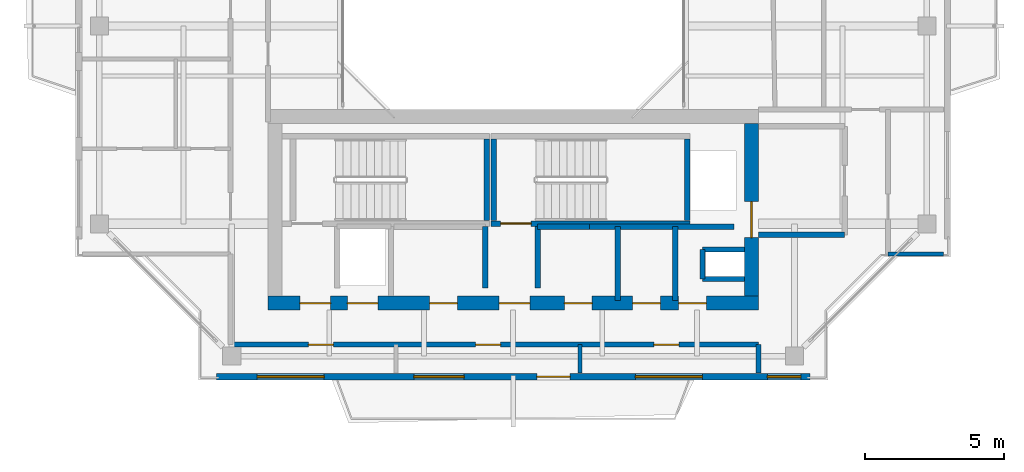
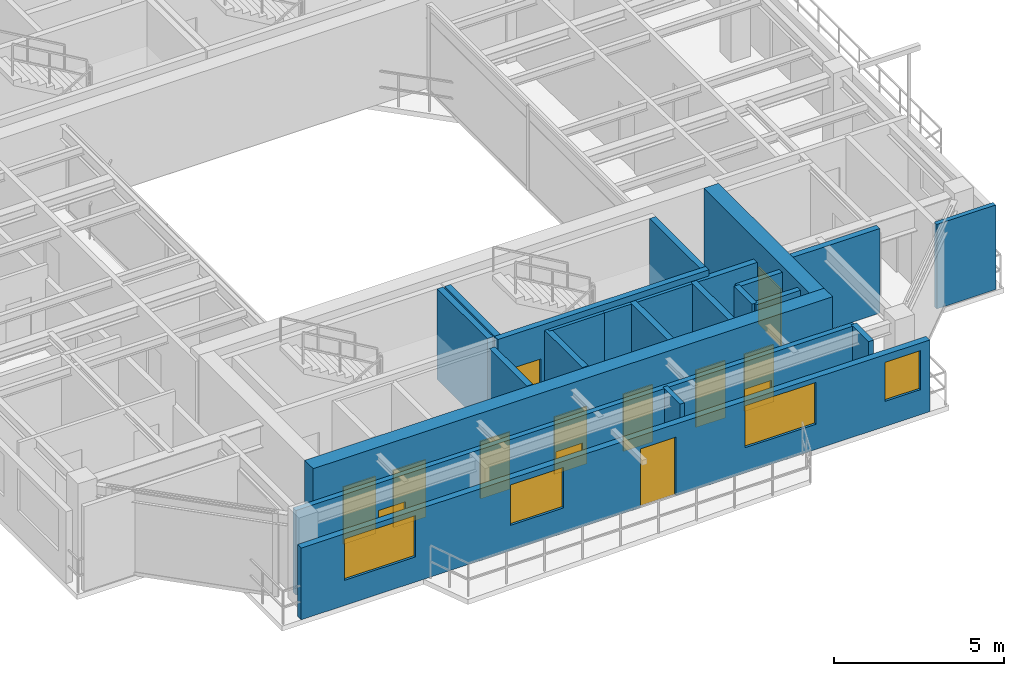
# One storey, part 9 of 14: 21 walls, 13 doors, 4 windows, 17 openings.
"""IFC4 building model written with IfcOpenShell, lengths in metres."""

from ifc_helpers import new_model, si_unit, direction, frame, frame_2d, origin, place, context, subcontext, project, spatial, rectangle, extrude, source, transform, mapped, material, layer, layer_set, type_object, element, fill, save


model = new_model("IFC4")

# Units and contexts
model_context = context("Model", 3, precision=1e-05, world=origin(), true_north=direction((0.0, 1.0)))
body_context = subcontext(model_context, "Body", "Model", "MODEL_VIEW")
ifc_project = project(units=[si_unit("LENGTHUNIT", "METRE"), si_unit("AREAUNIT", "SQUARE_METRE"), si_unit("VOLUMEUNIT", "CUBIC_METRE"), si_unit("PLANEANGLEUNIT", "RADIAN"), si_unit("MASSUNIT", "GRAM", prefix="KILO"), si_unit("THERMODYNAMICTEMPERATUREUNIT", "KELVIN"), si_unit("POWERUNIT", "WATT")], contexts=[model_context])

# Site, building, storey
site_placement = place(None, origin())
site = spatial("IfcSite", under=ifc_project, at=site_placement, CompositionType="ELEMENT")
building_placement = place(site_placement, origin())
building = spatial("IfcBuilding", under=site, at=building_placement, Name="Qiaomeng Ring Towers", CompositionType="ELEMENT")
storey_placement = place(building_placement, frame((0.0, 0.0, 260.0)))
storey = spatial("IfcBuildingStorey", under=building, at=storey_placement, Name="L76", CompositionType="ELEMENT", Elevation=260.0)

# Wall, openings, windows, door
ifc_material_1 = material(Name="Precast concrete C40", Category="concrete")
ifc_layer_1 = layer(ifc_material_1, 0.219970703125, Name="Precast concrete C40")
ifc_layer_set_1 = layer_set([ifc_layer_1], Name="Precast concrete C40")
wall_type_1 = type_object("IfcWallType", Name="ARC-WL-EW2", PredefinedType="STANDARD", material=ifc_layer_set_1)
wall_1_placement = place(storey_placement, frame((8.35009765625, 7.409912109375, 0.0), z_axis=(0.0, 0.0, 1.0), x_axis=(1.0, 0.0, 0.0)))
wall_1 = element("IfcWall", 1, at=wall_1_placement, inside=storey, type_object=wall_type_1, Name="L76 Tower 1 S Exterior Wall", PredefinedType="STANDARD", context=body_context, shape_type="SweptSolid", body=[
    extrude(rectangle(XDim=21.2998046875, YDim=0.219970703125, at=frame_2d((10.64990234375, 0.0))), origin(), (0.0, 0.0, 1.0), 2.570068359375),
])
opening_1_placement = place(wall_1_placement, frame((11.5, 0.0, 0.0)))
opening_1 = element("IfcOpeningElement", 2, at=opening_1_placement, cuts=wall_1, Name="Opening BD1", PredefinedType="OPENING", context=body_context, shape_type="SweptSolid", body=[
    extrude(rectangle(XDim=1.199951171875, YDim=2.10009765625, at=frame_2d((0.60009765625, 1.050048828125))), frame((0.0, 0.119873046875, 0.0), z_axis=(0.0, -1.0, 0.0), x_axis=(1.0, 0.0, 0.0)), (0.0, 0.0, 1.0), 0.239990234375),
])
opening_2_placement = place(wall_1_placement, frame((1.462890625, 0.0, 0.89990234375)))
opening_2 = element("IfcOpeningElement", 3, at=opening_2_placement, cuts=wall_1, Name="Opening WN6", PredefinedType="OPENING", context=body_context, shape_type="SweptSolid", body=[
    extrude(rectangle(XDim=2.39990234375, YDim=1.47998046875, at=frame_2d((1.199951171875, 0.739990234375))), frame((0.0, 0.119873046875, 0.0), z_axis=(0.0, -1.0, 0.0), x_axis=(1.0, 0.0, 0.0)), (0.0, 0.0, 1.0), 0.239990234375),
])
opening_3_placement = place(wall_1_placement, frame((7.087890625, 0.0, 0.89990234375)))
opening_3 = element("IfcOpeningElement", 4, at=opening_3_placement, cuts=wall_1, Name="Opening WN1", PredefinedType="OPENING", context=body_context, shape_type="SweptSolid", body=[
    extrude(rectangle(XDim=1.800048828125, YDim=1.449951171875, at=frame_2d((0.89990234375, 0.72509765625))), frame((0.0, 0.119873046875, 0.0), z_axis=(0.0, -1.0, 0.0), x_axis=(1.0, 0.0, 0.0)), (0.0, 0.0, 1.0), 0.239990234375),
])
opening_4_placement = place(wall_1_placement, frame((19.77490234375, 0.0, 0.89990234375)))
opening_4 = element("IfcOpeningElement", 5, at=opening_4_placement, cuts=wall_1, Name="Opening WN3", PredefinedType="OPENING", context=body_context, shape_type="SweptSolid", body=[
    extrude(rectangle(XDim=1.199951171875, YDim=1.39990234375, at=frame_2d((0.60009765625, 0.699951171875))), frame((0.0, 0.119873046875, 0.0), z_axis=(0.0, -1.0, 0.0), x_axis=(1.0, 0.0, 0.0)), (0.0, 0.0, 1.0), 0.239990234375),
])
opening_5_placement = place(wall_1_placement, frame((15.04248046875, 0.0, 0.89990234375)))
opening_5 = element("IfcOpeningElement", 6, at=opening_5_placement, cuts=wall_1, Name="Opening WN6", PredefinedType="OPENING", context=body_context, shape_type="SweptSolid", body=[
    extrude(rectangle(XDim=2.39990234375, YDim=1.5, at=frame_2d((1.199951171875, 0.75))), frame((0.0, 0.119873046875, 0.0), z_axis=(0.0, -1.0, 0.0), x_axis=(1.0, 0.0, 0.0)), (0.0, 0.0, 1.0), 0.239990234375),
])
ifc_material_2 = material(Name="Low-E dark-grey laminated double glazing", Category="glass")
window_type_1 = type_object("IfcWindowType", Name="ARC-WN-1", PartitioningType="DOUBLE_PANEL_VERTICAL", PredefinedType="WINDOW", material=ifc_material_2)
shared_shape_1 = source(origin(), body_context, "Body", "SweptSolid", [
    extrude(rectangle(XDim=1.800048828125, YDim=1.449951171875, at=frame_2d((0.89990234375, 0.72509765625))), frame((0.0, 0.030029296875, 0.0), z_axis=(0.0, -1.0, 0.0), x_axis=(1.0, 0.0, 0.0)), (0.0, 0.0, 1.0), 0.06005859375),
])
window_1_placement = place(opening_3_placement, origin())
window_1 = element("IfcWindow", 7, at=window_1_placement, inside=storey, type_object=window_type_1, Name="L76 Exterior Window WN1", OverallHeight=1.449951171875, OverallWidth=1.800048828125, PartitioningType="DOUBLE_PANEL_VERTICAL", PredefinedType="WINDOW", context=body_context, shape_type="MappedRepresentation", body=[
    mapped(shared_shape_1, transform((0.0, 0.0, 0.0), x_axis=(1.0, 0.0, 0.0), y_axis=(0.0, 1.0, 0.0), z_axis=(0.0, 0.0, 1.0), scale=1.0)),
])
fill(opening_3, window_1)
window_type_2 = type_object("IfcWindowType", Name="ARC-WN-6", PartitioningType="TRIPLE_PANEL_VERTICAL", PredefinedType="WINDOW", material=ifc_material_2)
shared_shape_2 = source(origin(), body_context, "Body", "SweptSolid", [
    extrude(rectangle(XDim=2.39990234375, YDim=1.47998046875, at=frame_2d((1.199951171875, 0.739990234375))), frame((0.0, 0.030029296875, 0.0), z_axis=(0.0, -1.0, 0.0), x_axis=(1.0, 0.0, 0.0)), (0.0, 0.0, 1.0), 0.06005859375),
])
window_2_placement = place(opening_2_placement, origin())
window_2 = element("IfcWindow", 8, at=window_2_placement, inside=storey, type_object=window_type_2, Name="L76 Exterior Window WN6", OverallHeight=1.47998046875, OverallWidth=2.39990234375, PartitioningType="TRIPLE_PANEL_VERTICAL", PredefinedType="WINDOW", context=body_context, shape_type="MappedRepresentation", body=[
    mapped(shared_shape_2, transform((0.0, 0.0, 0.0), x_axis=(1.0, 0.0, 0.0), y_axis=(0.0, 1.0, 0.0), z_axis=(0.0, 0.0, 1.0), scale=1.0)),
])
fill(opening_2, window_2)
door_type_1 = type_object("IfcDoorType", Name="ARC-DR-BD1", OperationType="NOTDEFINED", PredefinedType="DOOR", material=ifc_material_2)
shared_shape_3 = source(origin(), body_context, "Body", "SweptSolid", [
    extrude(rectangle(XDim=1.199951171875, YDim=2.10009765625, at=frame_2d((0.60009765625, 1.050048828125))), frame((0.0, 0.02490234375, 0.0), z_axis=(0.0, -1.0, 0.0), x_axis=(1.0, 0.0, 0.0)), (0.0, 0.0, 1.0), 0.050048828125),
])
door_1_placement = place(opening_1_placement, frame((1.199951171875, 0.0, 0.0), z_axis=(0.0, 0.0, 1.0), x_axis=(-1.0, 0.0, 0.0)))
door_1 = element("IfcDoor", 9, at=door_1_placement, inside=storey, type_object=door_type_1, Name="L76 S Balcony Glazed Door", OperationType="SINGLE_SWING_LEFT", OverallHeight=2.10009765625, OverallWidth=1.199951171875, PredefinedType="DOOR", context=body_context, shape_type="MappedRepresentation", body=[
    mapped(shared_shape_3, transform((0.0, 0.0, 0.0), x_axis=(1.0, 0.0, 0.0), y_axis=(0.0, 1.0, 0.0), z_axis=(0.0, 0.0, 1.0), scale=1.0)),
])
fill(opening_1, door_1)
shared_shape_4 = source(origin(), body_context, "Body", "SweptSolid", [
    extrude(rectangle(XDim=2.39990234375, YDim=1.5, at=frame_2d((1.199951171875, 0.75))), frame((0.0, 0.030029296875, 0.0), z_axis=(0.0, -1.0, 0.0), x_axis=(1.0, 0.0, 0.0)), (0.0, 0.0, 1.0), 0.06005859375),
])
window_3_placement = place(opening_5_placement, origin())
window_3 = element("IfcWindow", 10, at=window_3_placement, inside=storey, type_object=window_type_2, Name="L76 Exterior Window WN6", OverallHeight=1.5, OverallWidth=2.39990234375, PartitioningType="TRIPLE_PANEL_VERTICAL", PredefinedType="WINDOW", context=body_context, shape_type="MappedRepresentation", body=[
    mapped(shared_shape_4, transform((0.0, 0.0, 0.0), x_axis=(1.0, 0.0, 0.0), y_axis=(0.0, 1.0, 0.0), z_axis=(0.0, 0.0, 1.0), scale=1.0)),
])
fill(opening_5, window_3)
window_type_3 = type_object("IfcWindowType", Name="ARC-WN-3", PartitioningType="SINGLE_PANEL", PredefinedType="WINDOW", material=ifc_material_2)
shared_shape_5 = source(origin(), body_context, "Body", "SweptSolid", [
    extrude(rectangle(XDim=1.199951171875, YDim=1.39990234375, at=frame_2d((0.60009765625, 0.699951171875))), frame((0.0, 0.030029296875, 0.0), z_axis=(0.0, -1.0, 0.0), x_axis=(1.0, 0.0, 0.0)), (0.0, 0.0, 1.0), 0.06005859375),
])
window_4_placement = place(opening_4_placement, origin())
window_4 = element("IfcWindow", 11, at=window_4_placement, inside=storey, type_object=window_type_3, Name="L76 Exterior Window WN4", OverallHeight=1.39990234375, OverallWidth=1.199951171875, PartitioningType="TRIPLE_PANEL_VERTICAL", PredefinedType="WINDOW", context=body_context, shape_type="MappedRepresentation", body=[
    mapped(shared_shape_5, transform((0.0, 0.0, 0.0), x_axis=(1.0, 0.0, 0.0), y_axis=(0.0, 1.0, 0.0), z_axis=(0.0, 0.0, 1.0), scale=1.0)),
])
fill(opening_4, window_4)

# Walls
ifc_material_3 = material(Name="Autoclaved aerated concrete block", Category="concrete")
ifc_layer_2 = layer(ifc_material_3, 0.199951171875, Name="Autoclaved aerated concrete block")
ifc_layer_set_2 = layer_set([ifc_layer_2], Name="Autoclaved aerated concrete block")
wall_type_2 = type_object("IfcWallType", Name="ARC-WL-PW1", PredefinedType="PARTITIONING", material=ifc_layer_set_2)
wall_2_placement = place(storey_placement, frame((27.800048828125, 12.5, 0.0), z_axis=(0.0, 0.0, 1.0), x_axis=(1.0, 0.0, 0.0)))
element("IfcWall", 12, at=wall_2_placement, inside=storey, type_object=wall_type_2, Name="L76 Interior Wall PW1", PredefinedType="PARTITIONING", context=body_context, shape_type="SweptSolid", body=[
    extrude(rectangle(XDim=3.099853515625, YDim=0.199951171875, at=frame_2d((1.5498046875, 0.0))), origin(), (0.0, 0.0, 1.0), 3.030029296875),
])
for number, where, z_axis, x_axis, name in (
    (13, (18.0, 10.60009765625, 0.0), (0.0, 0.0, 1.0), (0.0, 1.0, 0.0), "L76 Interior Wall PW1"),
    (14, (19.8798828125, 10.60009765625, 0.0), (0.0, 0.0, 1.0), (0.0, 1.0, 0.0), "L76 Interior Wall PW1"),
):
    element("IfcWall", number, at=place(storey_placement, frame(where, z_axis=z_axis, x_axis=x_axis)), inside=storey, type_object=wall_type_2, Name=name, PredefinedType="PARTITIONING", context=body_context, shape_type="SweptSolid", body=[
        extrude(rectangle(XDim=2.2099609375, YDim=0.199951171875, at=frame_2d((1.10498046875, 0.0))), origin(), (0.0, 0.0, 1.0), 3.030029296875),
    ])
wall_3_placement = place(storey_placement, frame((24.820068359375, 10.14990234375, 0.0), z_axis=(0.0, 0.0, 1.0), x_axis=(0.0, 1.0, 0.0)))
element("IfcWall", 15, at=wall_3_placement, inside=storey, type_object=wall_type_2, Name="L76 Interior Wall PW1", PredefinedType="PARTITIONING", context=body_context, shape_type="SweptSolid", body=[
    extrude(rectangle(XDim=2.650146484375, YDim=0.199951171875, at=frame_2d((1.3251953125, 0.0))), origin(), (0.0, 0.0, 1.0), 3.030029296875),
])
wall_4_placement = place(storey_placement, frame((19.8798828125, 12.800048828125, 0.0), z_axis=(0.0, 0.0, 1.0), x_axis=(1.0, 0.0, 0.0)))
element("IfcWall", 16, at=wall_4_placement, inside=storey, type_object=wall_type_2, Name="L76 Interior Wall PW1", PredefinedType="PARTITIONING", context=body_context, shape_type="SweptSolid", body=[
    extrude(rectangle(XDim=1.8701171875, YDim=0.199951171875, at=frame_2d((0.93505859375, 0.0))), origin(), (0.0, 0.0, 1.0), 3.030029296875),
])
wall_5_placement = place(storey_placement, frame((22.760009765625, 10.14990234375, 0.0), z_axis=(0.0, 0.0, 1.0), x_axis=(0.0, 1.0, 0.0)))
element("IfcWall", 17, at=wall_5_placement, inside=storey, type_object=wall_type_2, Name="L76 Interior Wall PW1", PredefinedType="PARTITIONING", context=body_context, shape_type="SweptSolid", body=[
    extrude(rectangle(XDim=2.650146484375, YDim=0.199951171875, at=frame_2d((1.3251953125, 0.0))), origin(), (0.0, 0.0, 1.0), 3.030029296875),
])
wall_6_placement = place(storey_placement, frame((21.75, 12.800048828125, 0.0), z_axis=(0.0, 0.0, 1.0), x_axis=(1.0, 0.0, 0.0)))
element("IfcWall", 18, at=wall_6_placement, inside=storey, type_object=wall_type_2, Name="L76 Interior Wall PW1", PredefinedType="PARTITIONING", context=body_context, shape_type="SweptSolid", body=[
    extrude(rectangle(XDim=5.169921875, YDim=0.199951171875, at=frame_2d((2.5849609375, 0.0))), origin(), (0.0, 0.0, 1.0), 3.030029296875),
])
ifc_layer_3 = layer(ifc_material_3, 0.179931640625, Name="Autoclaved aerated concrete block")
ifc_layer_set_3 = layer_set([ifc_layer_3], Name="Autoclaved aerated concrete block")
wall_type_3 = type_object("IfcWallType", Name="ARC-WL-PW2", PredefinedType="PARTITIONING", material=ifc_layer_set_3)
wall_7_placement = place(storey_placement, frame((27.800048828125, 7.550048828125, 0.0), z_axis=(0.0, 0.0, 1.0), x_axis=(0.0, 1.0, 0.0)))
element("IfcWall", 19, at=wall_7_placement, inside=storey, type_object=wall_type_3, Name="L76 Interior Wall PW2", PredefinedType="PARTITIONING", context=body_context, shape_type="SweptSolid", body=[
    extrude(rectangle(XDim=1.010009765625, YDim=0.179931640625, at=frame_2d((0.5048828125, 0.0))), origin(), (0.0, 0.0, 1.0), 3.030029296875),
])

# Wall, openings, doors
wall_8_placement = place(storey_placement, frame((8.85009765625, 8.56005859375, 0.0), z_axis=(0.0, 0.0, 1.0), x_axis=(1.0, 0.0, 0.0)))
wall_8 = element("IfcWall", 20, at=wall_8_placement, inside=storey, type_object=wall_type_3, Name="L76 Interior Wall PW2", PredefinedType="PARTITIONING", context=body_context, shape_type="SweptSolid", body=[
    extrude(rectangle(XDim=18.949951171875, YDim=0.179931640625, at=frame_2d((9.47509765625, 0.0))), origin(), (0.0, 0.0, 1.0), 3.030029296875),
])
opening_6_placement = place(wall_8_placement, frame((2.800048828125, 0.0, 0.0)))
opening_6 = element("IfcOpeningElement", 21, at=opening_6_placement, cuts=wall_8, Name="Opening ID1", PredefinedType="OPENING", context=body_context, shape_type="SweptSolid", body=[
    extrude(rectangle(XDim=0.89990234375, YDim=2.050048828125, at=frame_2d((0.449951171875, 1.02490234375))), frame((0.0, 0.099853515625, 0.0), z_axis=(0.0, -1.0, 0.0), x_axis=(1.0, 0.0, 0.0)), (0.0, 0.0, 1.0), 0.199951171875),
])
opening_7_placement = place(wall_8_placement, frame((8.800048828125, 0.0, 0.0)))
opening_7 = element("IfcOpeningElement", 22, at=opening_7_placement, cuts=wall_8, Name="Opening ID1", PredefinedType="OPENING", context=body_context, shape_type="SweptSolid", body=[
    extrude(rectangle(XDim=0.89990234375, YDim=2.050048828125, at=frame_2d((0.449951171875, 1.02490234375))), frame((0.0, 0.099853515625, 0.0), z_axis=(0.0, -1.0, 0.0), x_axis=(1.0, 0.0, 0.0)), (0.0, 0.0, 1.0), 0.199951171875),
])
opening_8_placement = place(wall_8_placement, frame((15.199951171875, 0.0, 0.0)))
opening_8 = element("IfcOpeningElement", 23, at=opening_8_placement, cuts=wall_8, Name="Opening ID1", PredefinedType="OPENING", context=body_context, shape_type="SweptSolid", body=[
    extrude(rectangle(XDim=0.89990234375, YDim=2.050048828125, at=frame_2d((0.449951171875, 1.02490234375))), frame((0.0, 0.099853515625, 0.0), z_axis=(0.0, -1.0, 0.0), x_axis=(1.0, 0.0, 0.0)), (0.0, 0.0, 1.0), 0.199951171875),
])
ifc_material_4 = material(Name="Engineered oak timber", Category="wood")
door_type_2 = type_object("IfcDoorType", Name="ARC-DR-ID1", OperationType="NOTDEFINED", PredefinedType="DOOR", material=ifc_material_4)
shared_shape_6 = source(origin(), body_context, "Body", "SweptSolid", [
    extrude(rectangle(XDim=0.89990234375, YDim=2.050048828125, at=frame_2d((0.449951171875, 1.02490234375))), frame((0.0, 0.02490234375, 0.0), z_axis=(0.0, -1.0, 0.0), x_axis=(1.0, 0.0, 0.0)), (0.0, 0.0, 1.0), 0.050048828125),
])
door_2_placement = place(opening_6_placement, origin())
door_2 = element("IfcDoor", 24, at=door_2_placement, inside=storey, type_object=door_type_2, Name="L76 Door ID1", OperationType="SINGLE_SWING_LEFT", OverallHeight=2.050048828125, OverallWidth=0.89990234375, PredefinedType="DOOR", context=body_context, shape_type="MappedRepresentation", body=[
    mapped(shared_shape_6, transform((0.0, 0.0, 0.0), x_axis=(1.0, 0.0, 0.0), y_axis=(0.0, 1.0, 0.0), z_axis=(0.0, 0.0, 1.0), scale=1.0)),
])
fill(opening_6, door_2)
door_3_placement = place(opening_7_placement, origin())
door_3 = element("IfcDoor", 25, at=door_3_placement, inside=storey, type_object=door_type_2, Name="L76 Door ID1", OperationType="SINGLE_SWING_RIGHT", OverallHeight=2.050048828125, OverallWidth=0.89990234375, PredefinedType="DOOR", context=body_context, shape_type="MappedRepresentation", body=[
    mapped(shared_shape_6, transform((0.0, 0.0, 0.0), x_axis=(1.0, 0.0, 0.0), y_axis=(0.0, 1.0, 0.0), z_axis=(0.0, 0.0, 1.0), scale=1.0)),
])
fill(opening_7, door_3)
door_4_placement = place(opening_8_placement, origin())
door_4 = element("IfcDoor", 26, at=door_4_placement, inside=storey, type_object=door_type_2, Name="L76 Door ID1", OperationType="SINGLE_SWING_LEFT", OverallHeight=2.050048828125, OverallWidth=0.89990234375, PredefinedType="DOOR", context=body_context, shape_type="MappedRepresentation", body=[
    mapped(shared_shape_6, transform((0.0, 0.0, 0.0), x_axis=(1.0, 0.0, 0.0), y_axis=(0.0, 1.0, 0.0), z_axis=(0.0, 0.0, 1.0), scale=1.0)),
])
fill(opening_8, door_4)

# Walls
ifc_material_5 = material(Name="Gypsum fireboard steel-stud partition", Category="steel")
ifc_layer_4 = layer(ifc_material_5, 0.14990234375, Name="Gypsum fireboard steel-stud partition")
ifc_layer_set_4 = layer_set([ifc_layer_4], Name="Gypsum fireboard steel-stud partition")
wall_type_4 = type_object("IfcWallType", Name="ARC-WL-PW3", PredefinedType="PARTITIONING", material=ifc_layer_set_4)
wall_9_placement = place(storey_placement, frame((21.39990234375, 7.550048828125, 0.0), z_axis=(0.0, 0.0, 1.0), x_axis=(0.0, 1.0, 0.0)))
element("IfcWall", 27, at=wall_9_placement, inside=storey, type_object=wall_type_4, Name="L76 Interior Wall PW3", PredefinedType="PARTITIONING", context=body_context, shape_type="SweptSolid", body=[
    extrude(rectangle(XDim=1.010009765625, YDim=0.14990234375, at=frame_2d((0.5048828125, 0.0))), origin(), (0.0, 0.0, 1.0), 3.030029296875),
])
wall_10_placement = place(storey_placement, frame((32.449951171875, 11.820068359375, 0.0), z_axis=(0.0, 0.0, 1.0), x_axis=(1.0, 0.0, 0.0)))
element("IfcWall", 28, at=wall_10_placement, inside=storey, type_object=wall_type_4, Name="L76 Interior Wall PW3", PredefinedType="PARTITIONING", context=body_context, shape_type="SweptSolid", body=[
    extrude(rectangle(XDim=2.0, YDim=0.14990234375, at=frame_2d((1.0, 0.0))), origin(), (0.0, 0.0, 1.0), 3.030029296875),
])
ifc_material_6 = material(Name="Concrete C40", Category="concrete")
ifc_layer_5 = layer(ifc_material_6, 0.199951171875, Name="Concrete C40")
ifc_layer_set_5 = layer_set([ifc_layer_5], Name="Concrete C40")
wall_type_5 = type_object("IfcWallType", Name="STR-WL-STSHAFT", PredefinedType="SHEAR", material=ifc_layer_set_5)
wall_11_placement = place(storey_placement, frame((25.800048828125, 10.919921875, 0.0), z_axis=(0.0, 0.0, 1.0), x_axis=(0.0, 1.0, 0.0)))
element("IfcWall", 29, at=wall_11_placement, inside=storey, type_object=wall_type_5, Name="L76 Riser RSR1 West Shaft Wall S", PredefinedType="SHEAR", context=body_context, shape_type="SweptSolid", body=[
    extrude(rectangle(XDim=1.06005859375, YDim=0.179931640625, at=frame_2d((0.530029296875, 0.0))), origin(), (0.0, 0.0, 1.0), 3.030029296875),
])
for number, where, z_axis, x_axis, name in (
    (30, (25.800048828125, 11.97998046875, 0.0), (0.0, 0.0, 1.0), (1.0, 0.0, 0.0), "L76 Riser RSR1 North Shaft Wall S"),
    (31, (25.800048828125, 10.919921875, 0.0), (0.0, 0.0, 1.0), (1.0, 0.0, 0.0), "L76 Riser RSR1 South Shaft Wall S"),
):
    element("IfcWall", number, at=place(storey_placement, frame(where, z_axis=z_axis, x_axis=x_axis)), inside=storey, type_object=wall_type_5, Name=name, PredefinedType="SHEAR", context=body_context, shape_type="SweptSolid", body=[
        extrude(rectangle(XDim=1.5, YDim=0.179931640625, at=frame_2d((0.75, 0.0))), origin(), (0.0, 0.0, 1.0), 3.030029296875),
    ])
wall_12_placement = place(storey_placement, frame((18.050048828125, 13.010009765625, 0.0), z_axis=(0.0, 0.0, 1.0), x_axis=(0.0, 1.0, 0.0)))
element("IfcWall", 32, at=wall_12_placement, inside=storey, type_object=wall_type_5, Name="L76 Stair ST3 East Shaft Shear Wall", PredefinedType="SHEAR", context=body_context, shape_type="SweptSolid", body=[
    extrude(rectangle(XDim=2.93994140625, YDim=0.199951171875, at=frame_2d((1.469970703125, 0.0))), origin(), (0.0, 0.0, 1.0), 3.25),
])

# Wall, opening, door
wall_13_placement = place(storey_placement, frame((18.199951171875, 12.909912109375, 0.0), z_axis=(0.0, 0.0, 1.0), x_axis=(1.0, 0.0, 0.0)))
wall_13 = element("IfcWall", 33, at=wall_13_placement, inside=storey, type_object=wall_type_5, Name="L76 Stair ST4 South Shaft Shear Wall", PredefinedType="SHEAR", context=body_context, shape_type="SweptSolid", body=[
    extrude(rectangle(XDim=7.150146484375, YDim=0.199951171875, at=frame_2d((3.5751953125, 0.0))), origin(), (0.0, 0.0, 1.0), 3.25),
])
opening_9_placement = place(wall_13_placement, frame((0.35009765625, 0.0, 0.0)))
opening_9 = element("IfcOpeningElement", 34, at=opening_9_placement, cuts=wall_13, Name="Opening FD3", PredefinedType="OPENING", context=body_context, shape_type="SweptSolid", body=[
    extrude(rectangle(XDim=1.10009765625, YDim=2.050048828125, at=frame_2d((0.550048828125, 1.02490234375))), frame((0.0, 0.10986328125, 0.0), z_axis=(0.0, -1.0, 0.0), x_axis=(1.0, 0.0, 0.0)), (0.0, 0.0, 1.0), 0.219970703125),
])
ifc_material_7 = material(Name="Galvanised steel", Category="steel")
door_type_3 = type_object("IfcDoorType", Name="ARC-DR-FD3", OperationType="NOTDEFINED", PredefinedType="DOOR", material=ifc_material_7)
shared_shape_7 = source(origin(), body_context, "Body", "SweptSolid", [
    extrude(rectangle(XDim=1.10009765625, YDim=2.050048828125, at=frame_2d((0.550048828125, 1.02490234375))), frame((0.0, 0.02490234375, 0.0), z_axis=(0.0, -1.0, 0.0), x_axis=(1.0, 0.0, 0.0)), (0.0, 0.0, 1.0), 0.050048828125),
])
door_5_placement = place(opening_9_placement, frame((1.10009765625, 0.0, 0.0), z_axis=(0.0, 0.0, 1.0), x_axis=(-1.0, 0.0, 0.0)))
door_5 = element("IfcDoor", 35, at=door_5_placement, inside=storey, type_object=door_type_3, Name="L76 Stair ST4 Exit Door", OperationType="SINGLE_SWING_RIGHT", OverallHeight=2.050048828125, OverallWidth=1.10009765625, PredefinedType="DOOR", context=body_context, shape_type="MappedRepresentation", body=[
    mapped(shared_shape_7, transform((0.0, 0.0, 0.0), x_axis=(1.0, 0.0, 0.0), y_axis=(0.0, 1.0, 0.0), z_axis=(0.0, 0.0, 1.0), scale=1.0)),
])
fill(opening_9, door_5)

# Walls
for number, where, z_axis, x_axis, name in (
    (36, (18.300048828125, 13.010009765625, 0.0), (0.0, 0.0, 1.0), (0.0, 1.0, 0.0), "L76 Stair ST4 West Shaft Shear Wall"),
    (37, (25.25, 13.010009765625, 0.0), (0.0, 0.0, 1.0), (0.0, 1.0, 0.0), "L76 Stair ST4 East Shaft Shear Wall"),
):
    element("IfcWall", number, at=place(storey_placement, frame(where, z_axis=z_axis, x_axis=x_axis)), inside=storey, type_object=wall_type_5, Name=name, PredefinedType="SHEAR", context=body_context, shape_type="SweptSolid", body=[
        extrude(rectangle(XDim=2.93994140625, YDim=0.199951171875, at=frame_2d((1.469970703125, 0.0))), origin(), (0.0, 0.0, 1.0), 3.25),
    ])

# Wall, openings, doors
ifc_layer_6 = layer(ifc_material_6, 0.5, Name="Concrete C40")
ifc_layer_set_6 = layer_set([ifc_layer_6], Name="Concrete C40")
wall_type_6 = type_object("IfcWallType", Name="STR-WL-SW3", PredefinedType="SHEAR", material=ifc_layer_set_6)
wall_14_placement = place(storey_placement, frame((10.199951171875, 10.050048828125, 0.0), z_axis=(0.0, 0.0, 1.0), x_axis=(1.0, 0.0, 0.0)))
wall_14 = element("IfcWall", 38, at=wall_14_placement, inside=storey, type_object=wall_type_6, Name="L76 T1SC south core shear wall", PredefinedType="SHEAR", context=body_context, shape_type="SweptSolid", body=[
    extrude(rectangle(XDim=17.60009765625, YDim=0.5, at=frame_2d((8.800048828125, 0.0))), origin(), (0.0, 0.0, 1.0), 3.25),
])
opening_10_placement = place(wall_14_placement, frame((1.14990234375, 0.0, 0.0)))
opening_10 = element("IfcOpeningElement", 39, at=opening_10_placement, cuts=wall_14, Name="Opening FD3", PredefinedType="OPENING", context=body_context, shape_type="SweptSolid", body=[
    extrude(rectangle(XDim=1.10009765625, YDim=2.050048828125, at=frame_2d((0.550048828125, 1.02490234375))), frame((0.0, 0.260009765625, 0.0), z_axis=(0.0, -1.0, 0.0), x_axis=(1.0, 0.0, 0.0)), (0.0, 0.0, 1.0), 0.52001953125),
])
opening_11_placement = place(wall_14_placement, frame((8.300048828125, 0.0, 0.0)))
opening_11 = element("IfcOpeningElement", 40, at=opening_11_placement, cuts=wall_14, Name="Opening FD3", PredefinedType="OPENING", context=body_context, shape_type="SweptSolid", body=[
    extrude(rectangle(XDim=1.10009765625, YDim=2.050048828125, at=frame_2d((0.550048828125, 1.02490234375))), frame((0.0, 0.260009765625, 0.0), z_axis=(0.0, -1.0, 0.0), x_axis=(1.0, 0.0, 0.0)), (0.0, 0.0, 1.0), 0.52001953125),
])
opening_12_placement = place(wall_14_placement, frame((2.85009765625, 0.0, 0.0)))
opening_12 = element("IfcOpeningElement", 41, at=opening_12_placement, cuts=wall_14, Name="Opening LD1", PredefinedType="OPENING", context=body_context, shape_type="SweptSolid", body=[
    extrude(rectangle(XDim=1.10009765625, YDim=2.050048828125, at=frame_2d((0.550048828125, 1.02490234375))), frame((0.0, 0.260009765625, 0.0), z_axis=(0.0, -1.0, 0.0), x_axis=(1.0, 0.0, 0.0)), (0.0, 0.0, 1.0), 0.52001953125),
])
opening_13_placement = place(wall_14_placement, frame((5.800048828125, 0.0, 0.0)))
opening_13 = element("IfcOpeningElement", 42, at=opening_13_placement, cuts=wall_14, Name="Opening FD1", PredefinedType="OPENING", context=body_context, shape_type="SweptSolid", body=[
    extrude(rectangle(XDim=1.0, YDim=2.050048828125, at=frame_2d((0.5, 1.02490234375))), frame((0.0, 0.260009765625, 0.0), z_axis=(0.0, -1.0, 0.0), x_axis=(1.0, 0.0, 0.0)), (0.0, 0.0, 1.0), 0.52001953125),
])
opening_14_placement = place(wall_14_placement, frame((14.739990234375, 0.0, 0.0)))
opening_14 = element("IfcOpeningElement", 43, at=opening_14_placement, cuts=wall_14, Name="Opening FD1", PredefinedType="OPENING", context=body_context, shape_type="SweptSolid", body=[
    extrude(rectangle(XDim=1.0, YDim=2.050048828125, at=frame_2d((0.5, 1.02490234375))), frame((0.0, 0.260009765625, 0.0), z_axis=(0.0, -1.0, 0.0), x_axis=(1.0, 0.0, 0.0)), (0.0, 0.0, 1.0), 0.52001953125),
])
opening_15_placement = place(wall_14_placement, frame((10.639892578125, 0.0, 0.0)))
opening_15 = element("IfcOpeningElement", 44, at=opening_15_placement, cuts=wall_14, Name="Opening FD1", PredefinedType="OPENING", context=body_context, shape_type="SweptSolid", body=[
    extrude(rectangle(XDim=1.0, YDim=2.050048828125, at=frame_2d((0.5, 1.02490234375))), frame((0.0, 0.260009765625, 0.0), z_axis=(0.0, -1.0, 0.0), x_axis=(1.0, 0.0, 0.0)), (0.0, 0.0, 1.0), 0.52001953125),
])
opening_16_placement = place(wall_14_placement, frame((13.090087890625, 0.0, 0.0)))
opening_16 = element("IfcOpeningElement", 45, at=opening_16_placement, cuts=wall_14, Name="Opening FD1", PredefinedType="OPENING", context=body_context, shape_type="SweptSolid", body=[
    extrude(rectangle(XDim=1.0, YDim=2.050048828125, at=frame_2d((0.5, 1.02490234375))), frame((0.0, 0.260009765625, 0.0), z_axis=(0.0, -1.0, 0.0), x_axis=(1.0, 0.0, 0.0)), (0.0, 0.0, 1.0), 0.52001953125),
])
door_6_placement = place(opening_10_placement, origin())
door_6 = element("IfcDoor", 46, at=door_6_placement, inside=storey, type_object=door_type_3, Name="L76 Stair ST3 Lobby Door", OperationType="SINGLE_SWING_LEFT", OverallHeight=2.050048828125, OverallWidth=1.10009765625, PredefinedType="DOOR", context=body_context, shape_type="MappedRepresentation", body=[
    mapped(shared_shape_7, transform((0.0, 0.0, 0.0), x_axis=(1.0, 0.0, 0.0), y_axis=(0.0, 1.0, 0.0), z_axis=(0.0, 0.0, 1.0), scale=1.0)),
])
fill(opening_10, door_6)
door_7_placement = place(opening_11_placement, origin())
door_7 = element("IfcDoor", 47, at=door_7_placement, inside=storey, type_object=door_type_3, Name="L76 Stair ST4 Lobby Door", OperationType="SINGLE_SWING_LEFT", OverallHeight=2.050048828125, OverallWidth=1.10009765625, PredefinedType="DOOR", context=body_context, shape_type="MappedRepresentation", body=[
    mapped(shared_shape_7, transform((0.0, 0.0, 0.0), x_axis=(1.0, 0.0, 0.0), y_axis=(0.0, 1.0, 0.0), z_axis=(0.0, 0.0, 1.0), scale=1.0)),
])
fill(opening_11, door_7)
ifc_material_8 = material(Name="Stainless steel 316", Category="steel")
door_type_4 = type_object("IfcDoorType", Name="ARC-DR-LD1", OperationType="NOTDEFINED", PredefinedType="DOOR", material=ifc_material_8)
door_8_placement = place(opening_12_placement, origin())
door_8 = element("IfcDoor", 48, at=door_8_placement, inside=storey, type_object=door_type_4, Name="L76 High-Zone Lift LP6 Landing Door", OperationType="SLIDING_TO_RIGHT", OverallHeight=2.050048828125, OverallWidth=1.10009765625, PredefinedType="DOOR", context=body_context, shape_type="MappedRepresentation", body=[
    mapped(shared_shape_7, transform((0.0, 0.0, 0.0), x_axis=(1.0, 0.0, 0.0), y_axis=(0.0, 1.0, 0.0), z_axis=(0.0, 0.0, 1.0), scale=1.0)),
])
fill(opening_12, door_8)
door_type_5 = type_object("IfcDoorType", Name="ARC-DR-FD1", OperationType="NOTDEFINED", PredefinedType="DOOR", material=ifc_material_7)
shared_shape_8 = source(origin(), body_context, "Body", "SweptSolid", [
    extrude(rectangle(XDim=1.0, YDim=2.050048828125, at=frame_2d((0.5, 1.02490234375))), frame((0.0, 0.02490234375, 0.0), z_axis=(0.0, -1.0, 0.0), x_axis=(1.0, 0.0, 0.0)), (0.0, 0.0, 1.0), 0.050048828125),
])
door_9_placement = place(opening_13_placement, origin())
door_9 = element("IfcDoor", 49, at=door_9_placement, inside=storey, type_object=door_type_5, Name="L76 High-Zone Freed Core Room Door", OperationType="SINGLE_SWING_LEFT", OverallHeight=2.050048828125, OverallWidth=1.0, PredefinedType="DOOR", context=body_context, shape_type="MappedRepresentation", body=[
    mapped(shared_shape_8, transform((0.0, 0.0, 0.0), x_axis=(1.0, 0.0, 0.0), y_axis=(0.0, 1.0, 0.0), z_axis=(0.0, 0.0, 1.0), scale=1.0)),
])
fill(opening_13, door_9)
door_10_placement = place(opening_14_placement, origin())
door_10 = element("IfcDoor", 50, at=door_10_placement, inside=storey, type_object=door_type_5, Name="L76 South Electrical Riser Door", OperationType="SINGLE_SWING_LEFT", OverallHeight=2.050048828125, OverallWidth=1.0, PredefinedType="DOOR", context=body_context, shape_type="MappedRepresentation", body=[
    mapped(shared_shape_8, transform((0.0, 0.0, 0.0), x_axis=(1.0, 0.0, 0.0), y_axis=(0.0, 1.0, 0.0), z_axis=(0.0, 0.0, 1.0), scale=1.0)),
])
fill(opening_14, door_10)
door_11_placement = place(opening_15_placement, origin())
door_11 = element("IfcDoor", 51, at=door_11_placement, inside=storey, type_object=door_type_5, Name="L76 South Telemetry Study Door", OperationType="SINGLE_SWING_RIGHT", OverallHeight=2.050048828125, OverallWidth=1.0, PredefinedType="DOOR", context=body_context, shape_type="MappedRepresentation", body=[
    mapped(shared_shape_8, transform((0.0, 0.0, 0.0), x_axis=(1.0, 0.0, 0.0), y_axis=(0.0, 1.0, 0.0), z_axis=(0.0, 0.0, 1.0), scale=1.0)),
])
fill(opening_15, door_11)
door_12_placement = place(opening_16_placement, origin())
door_12 = element("IfcDoor", 52, at=door_12_placement, inside=storey, type_object=door_type_5, Name="L76 South Staff Pantry Door", OperationType="SINGLE_SWING_LEFT", OverallHeight=2.050048828125, OverallWidth=1.0, PredefinedType="DOOR", context=body_context, shape_type="MappedRepresentation", body=[
    mapped(shared_shape_8, transform((0.0, 0.0, 0.0), x_axis=(1.0, 0.0, 0.0), y_axis=(0.0, 1.0, 0.0), z_axis=(0.0, 0.0, 1.0), scale=1.0)),
])
fill(opening_16, door_12)

# Wall, opening, door
wall_15_placement = place(storey_placement, frame((27.550048828125, 10.300048828125, 0.0), z_axis=(0.0, 0.0, 1.0), x_axis=(0.0, 1.0, 0.0)))
wall_15 = element("IfcWall", 53, at=wall_15_placement, inside=storey, type_object=wall_type_6, Name="L76 T1SC east core shear wall", PredefinedType="SHEAR", context=body_context, shape_type="SweptSolid", body=[
    extrude(rectangle(XDim=6.199951171875, YDim=0.5, at=frame_2d((3.10009765625, 0.0))), origin(), (0.0, 0.0, 1.0), 3.25),
])
opening_17_placement = place(wall_15_placement, frame((2.10009765625, 0.0, 0.0)))
opening_17 = element("IfcOpeningElement", 54, at=opening_17_placement, cuts=wall_15, Name="Opening LD2", PredefinedType="OPENING", context=body_context, shape_type="SweptSolid", body=[
    extrude(rectangle(XDim=1.300048828125, YDim=2.050048828125, at=frame_2d((0.64990234375, 1.02490234375))), frame((0.0, 0.260009765625, 0.0), z_axis=(0.0, -1.0, 0.0), x_axis=(1.0, 0.0, 0.0)), (0.0, 0.0, 1.0), 0.52001953125),
])
door_type_6 = type_object("IfcDoorType", Name="ARC-DR-LD2", OperationType="NOTDEFINED", PredefinedType="DOOR", material=ifc_material_8)
shared_shape_9 = source(origin(), body_context, "Body", "SweptSolid", [
    extrude(rectangle(XDim=1.300048828125, YDim=2.050048828125, at=frame_2d((0.64990234375, 1.02490234375))), frame((0.0, 0.02490234375, 0.0), z_axis=(0.0, -1.0, 0.0), x_axis=(1.0, 0.0, 0.0)), (0.0, 0.0, 1.0), 0.050048828125),
])
door_13_placement = place(opening_17_placement, origin())
door_13 = element("IfcDoor", 55, at=door_13_placement, inside=storey, type_object=door_type_6, Name="L76 Firefighting Lift FL2 Landing Door", OperationType="SLIDING_TO_RIGHT", OverallHeight=2.050048828125, OverallWidth=1.300048828125, PredefinedType="DOOR", context=body_context, shape_type="MappedRepresentation", body=[
    mapped(shared_shape_9, transform((0.0, 0.0, 0.0), x_axis=(1.0, 0.0, 0.0), y_axis=(0.0, 1.0, 0.0), z_axis=(0.0, 0.0, 1.0), scale=1.0)),
])
fill(opening_17, door_13)

save(model, "model.ifc")
